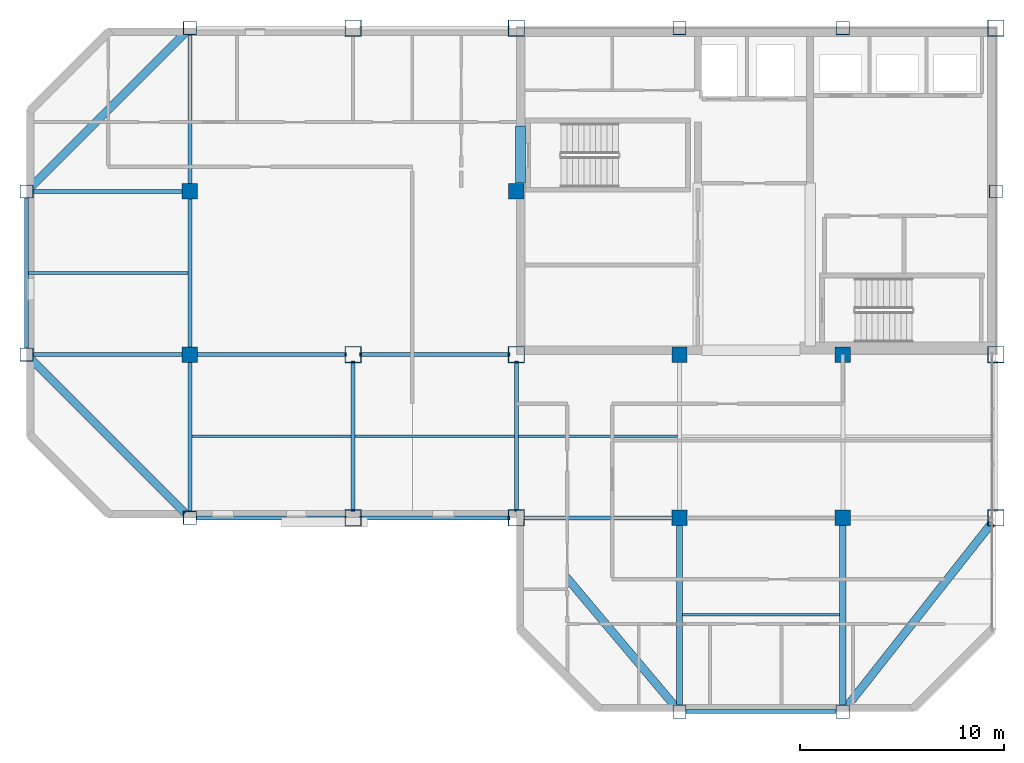
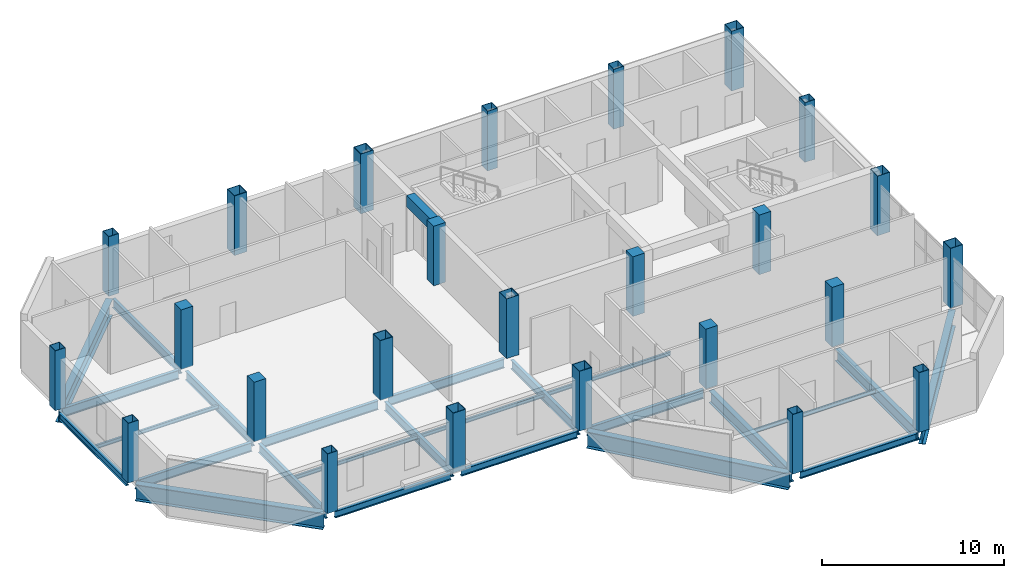
# One storey, part 1 of 13: 26 beams, 25 columns.
"""IFC4 building model written with IfcOpenShell, lengths in metres."""

from ifc_helpers import new_model, si_unit, direction, frame, origin, origin_2d, place, context, subcontext, project, spatial, rectangle, hollow_rectangle, i_section, extrude, material, material_profile, profile_set, type_object, element, save


model = new_model("IFC4")

# Units and contexts
model_context = context("Model", 3, precision=1e-05, world=origin(), true_north=direction((0.0, 1.0)))
body_context = subcontext(model_context, "Body", "Model", "MODEL_VIEW")
ifc_project = project(units=[si_unit("LENGTHUNIT", "METRE"), si_unit("AREAUNIT", "SQUARE_METRE"), si_unit("VOLUMEUNIT", "CUBIC_METRE"), si_unit("PLANEANGLEUNIT", "RADIAN"), si_unit("MASSUNIT", "GRAM", prefix="KILO")], contexts=[model_context])

# Site, building, storey
site_placement = place(None, origin())
site = spatial("IfcSite", under=ifc_project, at=site_placement, CompositionType="ELEMENT")
building_placement = place(site_placement, origin())
building = spatial("IfcBuilding", under=site, at=building_placement, Name="Qianrong Seaharbour Tower", CompositionType="ELEMENT")
storey_placement = place(building_placement, frame((0.0, 0.0, 299.199951171875)))
storey = spatial("IfcBuildingStorey", under=building, at=storey_placement, Name="L72", CompositionType="ELEMENT", Elevation=299.199951171875)

# Columns
ifc_material_1 = material(Name="Structural steel SN490B", Category="steel")
ifc_material_profile_1 = material_profile(ifc_material_1, hollow_rectangle(XDim=0.800048828125, YDim=0.800048828125, WallThickness=0.031982421875, at=origin_2d()), Name="BOX800x800x32")
ifc_profile_set_1 = profile_set([ifc_material_profile_1], Name="Structural steel SN490B")
column_type_1 = type_object("IfcColumnType", Name="COL-CFT-800", PredefinedType="COLUMN", material=ifc_profile_set_1)
for number, where, z_axis, x_axis, name in (
    (1, (32.5, 28.0, 0.0), (0.0, 0.0, 1.0), (1.0, 0.0, 0.0), "L72 Column MC-5 at G5/GE"),
    (2, (32.5, 36.0, 0.0), (0.0, 0.0, 1.0), (1.0, 0.0, 0.0), "L72 Column MC-5 at G5/GF"),
    (3, (32.5, 52.0, 0.0), (0.0, 0.0, 1.0), (1.0, 0.0, 0.0), "L72 Column MC-5 at G5/GH"),
    (4, (40.5, 28.0, 0.0), (0.0, 0.0, 1.0), (1.0, 0.0, 0.0), "L72 Column MC-5 at G6/GE"),
    (5, (40.5, 36.0, 0.0), (0.0, 0.0, 1.0), (1.0, 0.0, 0.0), "L72 Column MC-5 at G6/GF"),
    (6, (40.5, 52.0, 0.0), (0.0, 0.0, 1.0), (1.0, 0.0, 0.0), "L72 Column MC-5 at G6/GH"),
    (7, (64.0, 28.0, 0.0), (0.0, 0.0, 1.0), (1.0, 0.0, 0.0), "L72 Column MC-5 at G9/GE"),
    (8, (64.0, 36.0, 0.0), (0.0, 0.0, 1.0), (1.0, 0.0, 0.0), "L72 Column MC-5 at G9/GF"),
    (9, (64.0, 52.0, 0.0), (0.0, 0.0, 1.0), (1.0, 0.0, 0.0), "L72 Column MC-5 at G9/GH"),
):
    element("IfcColumn", number, at=place(storey_placement, frame(where, z_axis=z_axis, x_axis=x_axis)), inside=storey, type_object=column_type_1, Name=name, PredefinedType="COLUMN", context=body_context, shape_type="SweptSolid", body=[
        extrude(hollow_rectangle(XDim=0.800048828125, YDim=0.800048828125, WallThickness=0.031982421875, at=origin_2d()), origin(), (0.0, 0.0, 1.0), 4.0),
    ])
ifc_material_2 = material(Name="Concrete C50/60", Category="concrete")
ifc_material_profile_2 = material_profile(ifc_material_2, rectangle(XDim=0.75, YDim=0.75, at=origin_2d()), Name="RC750x750")
ifc_profile_set_2 = profile_set([ifc_material_profile_2], Name="Concrete C50/60")
column_type_2 = type_object("IfcColumnType", Name="COL-INT-RC750", PredefinedType="COLUMN", material=ifc_profile_set_2)
for number, where, z_axis, x_axis, name in (
    (10, (24.5, 36.0, 0.0), (0.0, 0.0, 1.0), (1.0, 0.0, 0.0), "L72 Column IC-4 at G4/GF"),
    (11, (24.5, 44.0, 0.0), (0.0, 0.0, 1.0), (1.0, 0.0, 0.0), "L72 Column IC-4 at G4/GG"),
    (12, (40.5, 44.0, 0.0), (0.0, 0.0, 1.0), (1.0, 0.0, 0.0), "L72 Column IC-4 at G6/GG"),
    (13, (48.5, 28.0, 0.0), (0.0, 0.0, 1.0), (1.0, 0.0, 0.0), "L72 Column IC-4 at G7/GE"),
    (14, (48.5, 36.0, 0.0), (0.0, 0.0, 1.0), (1.0, 0.0, 0.0), "L72 Column IC-4 at G7/GF"),
    (15, (56.5, 28.0, 0.0), (0.0, 0.0, 1.0), (1.0, 0.0, 0.0), "L72 Column IC-4 at G8/GE"),
    (16, (56.5, 36.0, 0.0), (0.0, 0.0, 1.0), (1.0, 0.0, 0.0), "L72 Column IC-4 at G8/GF"),
):
    element("IfcColumn", number, at=place(storey_placement, frame(where, z_axis=z_axis, x_axis=x_axis)), inside=storey, type_object=column_type_2, Name=name, PredefinedType="COLUMN", context=body_context, shape_type="SweptSolid", body=[
        extrude(rectangle(XDim=0.75, YDim=0.75, at=origin_2d()), origin(), (0.0, 0.0, 1.0), 4.0),
    ])
ifc_material_3 = material(Name="Structural steel SN400B", Category="steel")
ifc_material_profile_3 = material_profile(ifc_material_3, hollow_rectangle(XDim=0.64990234375, YDim=0.64990234375, WallThickness=0.028076171875, at=origin_2d()), Name="BOX650x650x28")
ifc_profile_set_3 = profile_set([ifc_material_profile_3], Name="Structural steel SN400B")
column_type_3 = type_object("IfcColumnType", Name="COL-PER-650", PredefinedType="COLUMN", material=ifc_profile_set_3)
for number, where, z_axis, x_axis, name in (
    (17, (16.5, 36.0, 0.0), (0.0, 0.0, 1.0), (1.0, 0.0, 0.0), "L72 Column PC-4 at G3/GF"),
    (18, (16.5, 44.0, 0.0), (0.0, 0.0, 1.0), (1.0, 0.0, 0.0), "L72 Column PC-4 at G3/GG"),
    (19, (24.5, 28.0, 0.0), (0.0, 0.0, 1.0), (1.0, 0.0, 0.0), "L72 Column PC-4 at G4/GE"),
    (20, (24.5, 52.0, 0.0), (0.0, 0.0, 1.0), (1.0, 0.0, 0.0), "L72 Column PC-4 at G4/GH"),
    (21, (48.5, 18.5, 0.0), (0.0, 0.0, 1.0), (1.0, 0.0, 0.0), "L72 Column PC-4 at G7/GD"),
    (22, (48.5, 52.0, 0.0), (0.0, 0.0, 1.0), (1.0, 0.0, 0.0), "L72 Column PC-4 at G7/GH"),
    (23, (56.5, 18.5, 0.0), (0.0, 0.0, 1.0), (1.0, 0.0, 0.0), "L72 Column PC-4 at G8/GD"),
    (24, (56.5, 52.0, 0.0), (0.0, 0.0, 1.0), (1.0, 0.0, 0.0), "L72 Column PC-4 at G8/GH"),
    (25, (64.0, 44.0, 0.0), (0.0, 0.0, 1.0), (1.0, 0.0, 0.0), "L72 Column PC-4 at G9/GG"),
):
    element("IfcColumn", number, at=place(storey_placement, frame(where, z_axis=z_axis, x_axis=x_axis)), inside=storey, type_object=column_type_3, Name=name, PredefinedType="COLUMN", context=body_context, shape_type="SweptSolid", body=[
        extrude(hollow_rectangle(XDim=0.64990234375, YDim=0.64990234375, WallThickness=0.028076171875, at=origin_2d()), origin(), (0.0, 0.0, 1.0), 4.0),
    ])

# Beams
ifc_material_profile_4 = material_profile(ifc_material_1, i_section(OverallWidth=0.199951171875, OverallDepth=0.60009765625, WebThickness=0.010986328125, FlangeThickness=0.01708984375, FilletRadius=0.02197265625, at=origin_2d()), Name="H600x200x11x17")
ifc_profile_set_4 = profile_set([ifc_material_profile_4], Name="Structural steel SN490B")
beam_type_1 = type_object("IfcBeamType", Name="BM-G-600", PredefinedType="BEAM", material=ifc_profile_set_4)
for number, where, z_axis, x_axis, name in (
    (26, (40.820068359375, 28.0, -0.514892578125), (1.0, 0.0, 0.0), (0.0, 1.0, 0.0), "L72 Primary Girder GE G6-G7"),
    (27, (16.820068359375, 36.0, -0.514892578125), (1.0, 0.0, 0.0), (0.0, 1.0, 0.0), "L72 Primary Girder GF G3-G4"),
    (28, (24.820068359375, 36.0, -0.514892578125), (1.0, 0.0, 0.0), (0.0, 1.0, 0.0), "L72 Primary Girder GF G4-G5"),
    (29, (32.820068359375, 36.0, -0.514892578125), (1.0, 0.0, 0.0), (0.0, 1.0, 0.0), "L72 Primary Girder GF G5-G6"),
    (30, (16.820068359375, 44.0, -0.514892578125), (1.0, 0.0, 0.0), (0.0, 1.0, 0.0), "L72 Primary Girder GG G3-G4"),
    (31, (24.5, 28.320068359375, -0.514892578125), (0.0, 1.0, 0.0), (-1.0, 0.0, 0.0), "L72 Primary Girder G4 GE-GF"),
    (32, (24.5, 36.320068359375, -0.514892578125), (0.0, 1.0, 0.0), (-1.0, 0.0, 0.0), "L72 Primary Girder G4 GF-GG"),
    (33, (24.5, 44.320068359375, -0.514892578125), (0.0, 1.0, 0.0), (-1.0, 0.0, 0.0), "L72 Primary Girder G4 GG-GH"),
    (34, (32.5, 28.320068359375, -0.514892578125), (0.0, 1.0, 0.0), (-1.0, 0.0, 0.0), "L72 Primary Girder G5 GE-GF"),
    (35, (40.5, 28.320068359375, -0.514892578125), (0.0, 1.0, 0.0), (-1.0, 0.0, 0.0), "L72 Primary Girder G6 GE-GF"),
):
    element("IfcBeam", number, at=place(storey_placement, frame(where, z_axis=z_axis, x_axis=x_axis)), inside=storey, type_object=beam_type_1, Name=name, PredefinedType="BEAM", context=body_context, shape_type="SweptSolid", body=[
        extrude(i_section(OverallWidth=0.199951171875, OverallDepth=0.60009765625, WebThickness=0.010986328125, FlangeThickness=0.01708984375, FilletRadius=0.02197265625, at=origin_2d()), origin(), (0.0, 0.0, 1.0), 7.35986328125),
    ])
ifc_material_profile_5 = material_profile(ifc_material_1, i_section(OverallWidth=0.300048828125, OverallDepth=0.800048828125, WebThickness=0.013916015625, FlangeThickness=0.02587890625, FilletRadius=0.028076171875, at=origin_2d()), Name="H800x300x14x26")
ifc_profile_set_5 = profile_set([ifc_material_profile_5], Name="Structural steel SN490B")
beam_type_2 = type_object("IfcBeamType", Name="BM-G-800", PredefinedType="BEAM", material=ifc_profile_set_5)
for number, where, z_axis, x_axis, name in (
    (36, (48.5, 18.820068359375, -0.614990234375), (0.0, 1.0, 0.0), (-1.0, 0.0, 0.0), "L72 Primary Girder G7 GD-GE"),
    (37, (56.5, 18.820068359375, -0.614990234375), (0.0, 1.0, 0.0), (-1.0, 0.0, 0.0), "L72 Primary Girder G8 GD-GE"),
):
    element("IfcBeam", number, at=place(storey_placement, frame(where, z_axis=z_axis, x_axis=x_axis)), inside=storey, type_object=beam_type_2, Name=name, PredefinedType="BEAM", context=body_context, shape_type="SweptSolid", body=[
        extrude(i_section(OverallWidth=0.300048828125, OverallDepth=0.800048828125, WebThickness=0.013916015625, FlangeThickness=0.02587890625, FilletRadius=0.028076171875, at=origin_2d()), origin(), (0.0, 0.0, 1.0), 8.85986328125),
    ])
ifc_material_profile_6 = material_profile(ifc_material_3, i_section(OverallWidth=0.125, OverallDepth=0.25, WebThickness=0.006103515625, FlangeThickness=0.009033203125, FilletRadius=0.011962890625, at=origin_2d()), Name="H250x125x6x9")
ifc_profile_set_6 = profile_set([ifc_material_profile_6], Name="Structural steel SN400B")
beam_type_3 = type_object("IfcBeamType", Name="BM-J-250", PredefinedType="JOIST", material=ifc_profile_set_6)
for number, where, z_axis, x_axis, name in (
    (38, (16.60009765625, 40.0, -0.33984375), (1.0, 0.0, 0.0), (0.0, 1.0, 0.0), "L72 Composite Floor Joist G3-G4/GF-GG"),
    (39, (24.60009765625, 32.0, -0.33984375), (1.0, 0.0, 0.0), (0.0, 1.0, 0.0), "L72 Composite Floor Joist G4-G5/GE-GF"),
    (40, (32.60009765625, 32.0, -0.33984375), (1.0, 0.0, 0.0), (0.0, 1.0, 0.0), "L72 Composite Floor Joist G5-G6/GE-GF"),
    (41, (40.60009765625, 32.0, -0.33984375), (1.0, 0.0, 0.0), (0.0, 1.0, 0.0), "L72 Composite Floor Joist G6-G7/GE-GF"),
):
    element("IfcBeam", number, at=place(storey_placement, frame(where, z_axis=z_axis, x_axis=x_axis)), inside=storey, type_object=beam_type_3, Name=name, PredefinedType="JOIST", context=body_context, shape_type="SweptSolid", body=[
        extrude(i_section(OverallWidth=0.125, OverallDepth=0.25, WebThickness=0.006103515625, FlangeThickness=0.009033203125, FilletRadius=0.011962890625, at=origin_2d()), origin(), (0.0, 0.0, 1.0), 7.7998046875),
    ])
beam_1_placement = place(storey_placement, frame((48.64990234375, 23.25, -0.33984375), z_axis=(1.0, 0.0, 0.0), x_axis=(0.0, 1.0, 0.0)))
element("IfcBeam", 42, at=beam_1_placement, inside=storey, type_object=beam_type_3, Name="L72 Composite Floor Joist G7-G8/GD-GE", PredefinedType="JOIST", context=body_context, shape_type="SweptSolid", body=[
    extrude(i_section(OverallWidth=0.125, OverallDepth=0.25, WebThickness=0.006103515625, FlangeThickness=0.009033203125, FilletRadius=0.011962890625, at=origin_2d()), origin(), (0.0, 0.0, 1.0), 7.7001953125),
])
ifc_material_4 = material(Name="Concrete C60/75", Category="concrete")
ifc_material_profile_7 = material_profile(ifc_material_4, rectangle(XDim=0.5, YDim=0.75, at=origin_2d()), Name="RC500x750")
ifc_profile_set_7 = profile_set([ifc_material_profile_7], Name="Concrete C60/75")
beam_type_4 = type_object("IfcBeamType", Name="BM-LINTEL-750", PredefinedType="LINTEL", material=ifc_profile_set_7)
beam_2_placement = place(storey_placement, frame((40.7099609375, 44.39990234375, 3.41015625), z_axis=(0.0, 1.0, 0.0), x_axis=(-1.0, 0.0, 0.0)))
element("IfcBeam", 43, at=beam_2_placement, inside=storey, type_object=beam_type_4, Name="L72 Core Coupling Lintel Beam West", PredefinedType="LINTEL", context=body_context, shape_type="SweptSolid", body=[
    extrude(rectangle(XDim=0.5, YDim=0.75, at=origin_2d()), origin(), (0.0, 0.0, 1.0), 2.800048828125),
])
ifc_material_profile_8 = material_profile(ifc_material_3, i_section(OverallWidth=0.199951171875, OverallDepth=0.449951171875, WebThickness=0.009033203125, FlangeThickness=0.013916015625, FilletRadius=0.01806640625, at=origin_2d()), Name="H450x200x9x14")
ifc_profile_set_8 = profile_set([ifc_material_profile_8], Name="Structural steel SN400B")
beam_type_5 = type_object("IfcBeamType", Name="BM-SP-450", PredefinedType="SPANDREL", material=ifc_profile_set_8)
for number, where, z_axis, x_axis, name in (
    (44, (48.820068359375, 18.5, -0.43994140625), (1.0, 0.0, 0.0), (0.0, 1.0, 0.0), "L72 Spandrel Girder GD G7-G8"),
    (45, (24.820068359375, 28.0, -0.43994140625), (1.0, 0.0, 0.0), (0.0, 1.0, 0.0), "L72 Spandrel Girder GE G4-G5"),
    (46, (32.820068359375, 28.0, -0.43994140625), (1.0, 0.0, 0.0), (0.0, 1.0, 0.0), "L72 Spandrel Girder GE G5-G6"),
    (47, (16.5, 36.320068359375, -0.43994140625), (0.0, 1.0, 0.0), (-1.0, 0.0, 0.0), "L72 Spandrel Girder G3 GF-GG"),
):
    element("IfcBeam", number, at=place(storey_placement, frame(where, z_axis=z_axis, x_axis=x_axis)), inside=storey, type_object=beam_type_5, Name=name, PredefinedType="SPANDREL", context=body_context, shape_type="SweptSolid", body=[
        extrude(i_section(OverallWidth=0.199951171875, OverallDepth=0.449951171875, WebThickness=0.009033203125, FlangeThickness=0.013916015625, FilletRadius=0.01806640625, at=origin_2d()), origin(), (0.0, 0.0, 1.0), 7.35986328125),
    ])
ifc_material_profile_9 = material_profile(ifc_material_1, i_section(OverallWidth=0.39990234375, OverallDepth=1.10009765625, WebThickness=0.02001953125, FlangeThickness=0.035888671875, at=origin_2d()), Name="BH1100x400x20x36")
ifc_profile_set_9 = profile_set([ifc_material_profile_9], Name="Structural steel SN490B")
beam_type_6 = type_object("IfcBeamType", Name="BM-TG-1100", PredefinedType="BEAM", material=ifc_profile_set_9)
for number, where, z_axis, x_axis, name in (
    (48, (24.273681640625, 28.226318359375, -0.764892578125), (-0.707106781187, 0.707106781187, 0.0), (-0.707106781187, -0.707106781187, 0.0), "L72 Chamfer Corner Spandrel Girder G3/GE"),
    (49, (24.273681640625, 51.773681640625, -0.764892578125), (-0.707106781187, -0.707106781187, 0.0), (0.707106781187, -0.707106781187, 0.0), "L72 Chamfer Corner Spandrel Girder G3/GH"),
):
    element("IfcBeam", number, at=place(storey_placement, frame(where, z_axis=z_axis, x_axis=x_axis)), inside=storey, type_object=beam_type_6, Name=name, PredefinedType="BEAM", context=body_context, shape_type="SweptSolid", body=[
        extrude(i_section(OverallWidth=0.39990234375, OverallDepth=1.10009765625, WebThickness=0.02001953125, FlangeThickness=0.035888671875, at=origin_2d()), origin(), (0.0, 0.0, 1.0), 10.673583984375),
    ])
beam_3_placement = place(storey_placement, frame((48.2939453125, 18.744873046875, -0.764892578125), z_axis=(-0.644151063101, 0.764898299061, 0.0), x_axis=(-0.764898299061, -0.644151063101, 0.0)))
element("IfcBeam", 50, at=beam_3_placement, inside=storey, type_object=beam_type_6, Name="L72 Chamfer Corner Spandrel Girder G6/GD", PredefinedType="BEAM", context=body_context, shape_type="SweptSolid", body=[
    extrude(i_section(OverallWidth=0.39990234375, OverallDepth=1.10009765625, WebThickness=0.02001953125, FlangeThickness=0.035888671875, at=origin_2d()), origin(), (0.0, 0.0, 1.0), 11.77978515625),
])
beam_4_placement = place(storey_placement, frame((56.6982421875, 18.751220703125, -0.764892578125), z_axis=(0.619653955715, 0.784875133487, 0.0), x_axis=(-0.784875133487, 0.619653955715, 0.0)))
element("IfcBeam", 51, at=beam_4_placement, inside=storey, type_object=beam_type_6, Name="L72 Chamfer Corner Spandrel Girder G9/GD", PredefinedType="BEAM", context=body_context, shape_type="SweptSolid", body=[
    extrude(i_section(OverallWidth=0.39990234375, OverallDepth=1.10009765625, WebThickness=0.02001953125, FlangeThickness=0.035888671875, at=origin_2d()), origin(), (0.0, 0.0, 1.0), 11.463623046875),
])

save(model, "model.ifc")
